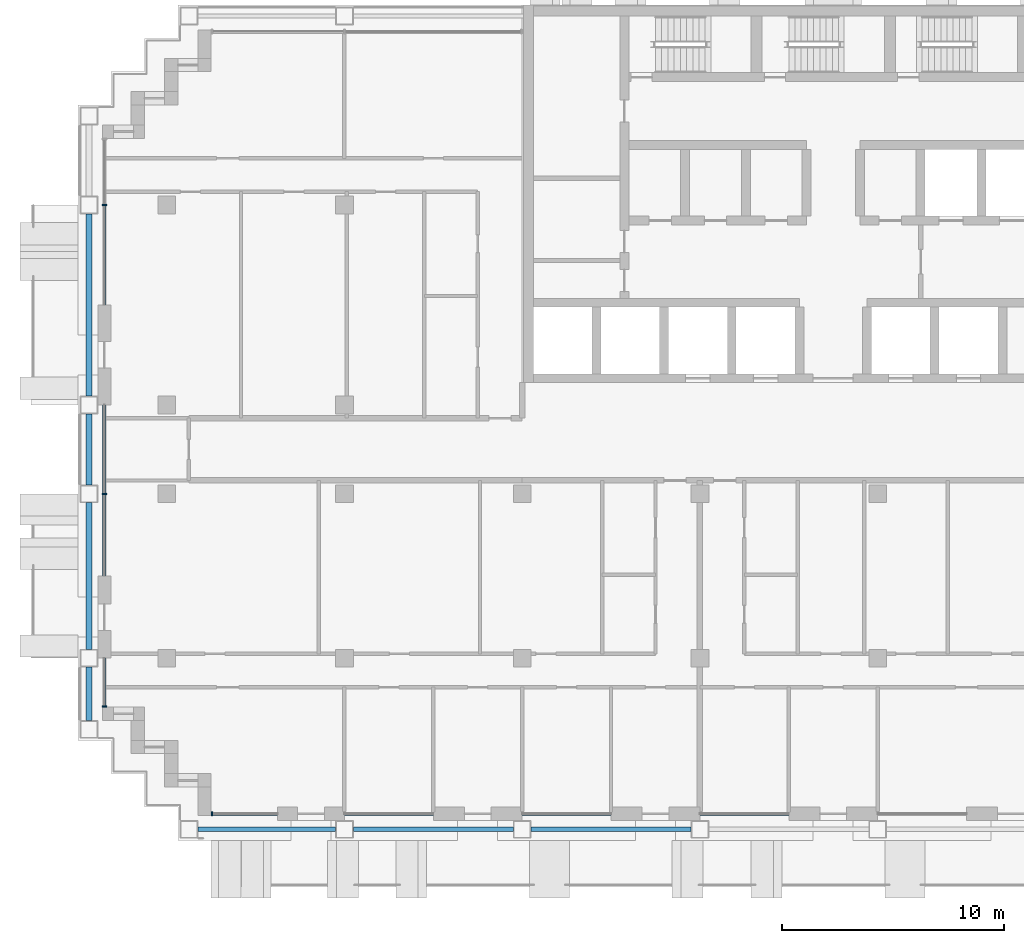
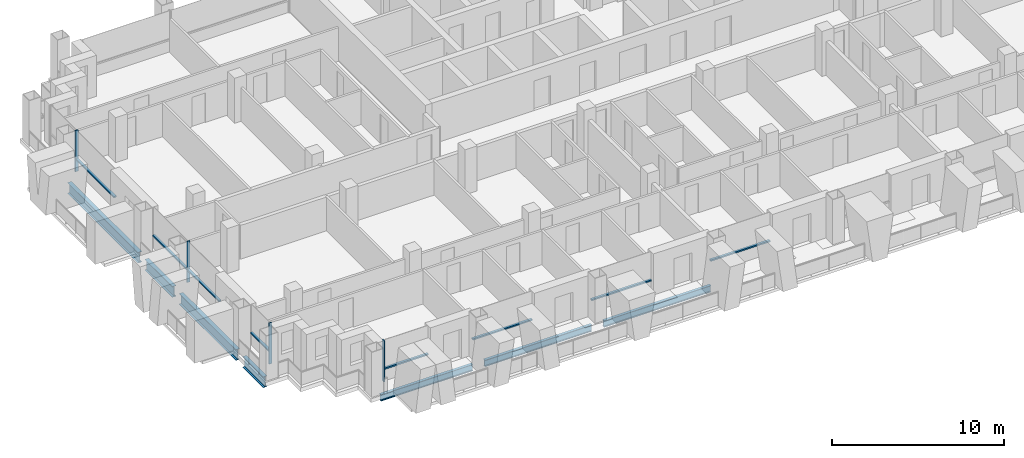
# One storey, part 2 of 16: 12 members, 7 beams, 7 elements without a shape of their own.
"""IFC4 building model written with IfcOpenShell, lengths in metres."""

from ifc_helpers import new_model, si_unit, direction, frame, origin, origin_2d, place, context, subcontext, project, spatial, rectangle, i_section, extrude, material, material_profile, profile_set, type_object, element, aggregate, save


model = new_model("IFC4")

# Units and contexts
model_context = context("Model", 3, precision=1e-05, world=origin(), true_north=direction((0.0, 1.0)))
body_context = subcontext(model_context, "Body", "Model", "MODEL_VIEW")
ifc_project = project(units=[si_unit("LENGTHUNIT", "METRE"), si_unit("AREAUNIT", "SQUARE_METRE"), si_unit("VOLUMEUNIT", "CUBIC_METRE"), si_unit("PLANEANGLEUNIT", "RADIAN"), si_unit("MASSUNIT", "GRAM", prefix="KILO")], contexts=[model_context])

# Site, building, storey
site_placement = place(None, origin())
site = spatial("IfcSite", under=ifc_project, at=site_placement, CompositionType="ELEMENT")
building_placement = place(site_placement, origin())
building = spatial("IfcBuilding", under=site, at=building_placement, Name="Vidyagriha Tower", CompositionType="ELEMENT")
storey_placement = place(building_placement, frame((0.0, 0.0, 135.800048828125)))
storey = spatial("IfcBuildingStorey", under=building, at=storey_placement, Name="L35", CompositionType="ELEMENT", Elevation=135.800048828125)

# Beams
ifc_material_1 = material(Name="Steel ASTM A992 Grade 50", Category="steel")
ifc_material_profile_1 = material_profile(ifc_material_1, i_section(OverallWidth=0.2666015625, OverallDepth=0.76953125, WebThickness=0.015625, FlangeThickness=0.025390625, at=origin_2d()), Name="W30X132")
ifc_profile_set_1 = profile_set([ifc_material_profile_1], Name="Steel ASTM A992 Grade 50")
beam_type_1 = type_object("IfcBeamType", Name="Cantilever edge beam W30X132", PredefinedType="SPANDREL", material=ifc_profile_set_1)
beam_1_placement = place(storey_placement, frame((-33.5, -12.199951171875, -0.664794921875), z_axis=(0.0, 1.0, 0.0), x_axis=(-1.0, 0.0, 0.0)))
element("IfcBeam", 1, at=beam_1_placement, inside=storey, type_object=beam_type_1, Name="st-beam-L35-W09", PredefinedType="SPANDREL", context=body_context, shape_type="SweptSolid", body=[
    extrude(i_section(OverallWidth=0.2666015625, OverallDepth=0.76953125, WebThickness=0.015625, FlangeThickness=0.025390625, at=origin_2d()), origin(), (0.0, 0.0, 1.0), 2.39990234375),
])
beam_2_placement = place(storey_placement, frame((-33.5, -9.0, -0.664794921875), z_axis=(0.0, 1.0, 0.0), x_axis=(-1.0, 0.0, 0.0)))
element("IfcBeam", 2, at=beam_2_placement, inside=storey, type_object=beam_type_1, Name="st-beam-L35-W10", PredefinedType="SPANDREL", context=body_context, shape_type="SweptSolid", body=[
    extrude(i_section(OverallWidth=0.2666015625, OverallDepth=0.76953125, WebThickness=0.015625, FlangeThickness=0.025390625, at=origin_2d()), origin(), (0.0, 0.0, 1.0), 6.60009765625),
])
beam_3_placement = place(storey_placement, frame((-33.5, -1.60009765625, -0.664794921875), z_axis=(0.0, 1.0, 0.0), x_axis=(-1.0, 0.0, 0.0)))
element("IfcBeam", 3, at=beam_3_placement, inside=storey, type_object=beam_type_1, Name="st-beam-L35-W11", PredefinedType="SPANDREL", context=body_context, shape_type="SweptSolid", body=[
    extrude(i_section(OverallWidth=0.2666015625, OverallDepth=0.76953125, WebThickness=0.015625, FlangeThickness=0.025390625, at=origin_2d()), origin(), (0.0, 0.0, 1.0), 3.2001953125),
])
beam_4_placement = place(storey_placement, frame((-33.5, 2.39990234375, -0.664794921875), z_axis=(0.0, 1.0, 0.0), x_axis=(-1.0, 0.0, 0.0)))
element("IfcBeam", 4, at=beam_4_placement, inside=storey, type_object=beam_type_1, Name="st-beam-L35-W12", PredefinedType="SPANDREL", context=body_context, shape_type="SweptSolid", body=[
    extrude(i_section(OverallWidth=0.2666015625, OverallDepth=0.76953125, WebThickness=0.015625, FlangeThickness=0.025390625, at=origin_2d()), origin(), (0.0, 0.0, 1.0), 8.2001953125),
])
ifc_material_2 = material(Name="Steel ASTM A992 Grade 50", Category="steel")
ifc_material_profile_2 = material_profile(ifc_material_2, i_section(OverallWidth=0.19189453125, OverallDepth=0.46240234375, WebThickness=0.010498046875, FlangeThickness=0.017578125, at=origin_2d()), Name="W18X60")
ifc_profile_set_2 = profile_set([ifc_material_profile_2], Name="Steel ASTM A992 Grade 50")
beam_type_2 = type_object("IfcBeamType", Name="Edge beam W18X60", PredefinedType="SPANDREL", material=ifc_profile_set_2)
beam_5_placement = place(storey_placement, frame((-28.60009765625, -17.10009765625, -0.51123046875), z_axis=(1.0, 0.0, 0.0), x_axis=(0.0, 1.0, 0.0)))
element("IfcBeam", 5, at=beam_5_placement, inside=storey, type_object=beam_type_2, Name="st-beam-L35-S01", PredefinedType="SPANDREL", context=body_context, shape_type="SweptSolid", body=[
    extrude(i_section(OverallWidth=0.19189453125, OverallDepth=0.46240234375, WebThickness=0.010498046875, FlangeThickness=0.017578125, at=origin_2d()), origin(), (0.0, 0.0, 1.0), 6.2001953125),
])
for number, where, z_axis, x_axis, name in (
    (6, (-21.60009765625, -17.10009765625, -0.51123046875), (1.0, 0.0, 0.0), (0.0, 1.0, 0.0), "st-beam-L35-S02"),
    (7, (-13.60009765625, -17.10009765625, -0.51123046875), (1.0, 0.0, 0.0), (0.0, 1.0, 0.0), "st-beam-L35-S03"),
):
    element("IfcBeam", number, at=place(storey_placement, frame(where, z_axis=z_axis, x_axis=x_axis)), inside=storey, type_object=beam_type_2, Name=name, PredefinedType="SPANDREL", context=body_context, shape_type="SweptSolid", body=[
        extrude(i_section(OverallWidth=0.19189453125, OverallDepth=0.46240234375, WebThickness=0.010498046875, FlangeThickness=0.017578125, at=origin_2d()), origin(), (0.0, 0.0, 1.0), 7.2001953125),
    ])

# Curtain wall, member
ifc_material_3 = material(Name="Aluminium and glass curtain wall", Category="aluminium")
curtain_wall_type = type_object("IfcCurtainWallType", Name="Dwelling skin unitised curtain wall", PredefinedType="USERDEFINED", material=ifc_material_3)
curtain_wall_1_placement = place(storey_placement, origin())
curtain_wall_1 = element("IfcCurtainWall", 8, at=curtain_wall_1_placement, inside=storey, type_object=curtain_wall_type, Name="CW1 dwelling skin", ObjectType="UNITISED", PredefinedType="USERDEFINED")
ifc_material_4 = material(Name="Aluminium black anodised", Category="aluminium")
ifc_material_profile_3 = material_profile(ifc_material_4, rectangle(XDim=0.199951171875, YDim=0.070068359375, at=origin_2d()), Name="Mullion 70x200 black aluminium")
ifc_profile_set_3 = profile_set([ifc_material_profile_3], Name="Aluminium black anodised")
member_type_1 = type_object("IfcMemberType", Name="Mullion 70x200 black aluminium", PredefinedType="MULLION", material=ifc_profile_set_3)
member_1_placement = place(storey_placement, frame((-32.800048828125, 11.0, 0.0)))
member_1 = element("IfcMember", 9, at=member_1_placement, type_object=member_type_1, Name="CW1 mullion 2", PredefinedType="MULLION", context=body_context, shape_type="SweptSolid", body=[
    extrude(rectangle(XDim=0.199951171875, YDim=0.070068359375, at=origin_2d()), origin(), (0.0, 0.0, 1.0), 2.919921875),
])

curtain_wall_2_placement = place(storey_placement, origin())
curtain_wall_2 = element("IfcCurtainWall", 10, at=curtain_wall_2_placement, inside=storey, type_object=curtain_wall_type, Name="CW1 dwelling skin", ObjectType="UNITISED", PredefinedType="USERDEFINED")
member_2_placement = place(storey_placement, frame((-32.800048828125, -2.0, 0.0)))
member_2 = element("IfcMember", 11, at=member_2_placement, type_object=member_type_1, Name="CW1 mullion 2", PredefinedType="MULLION", context=body_context, shape_type="SweptSolid", body=[
    extrude(rectangle(XDim=0.199951171875, YDim=0.070068359375, at=origin_2d()), origin(), (0.0, 0.0, 1.0), 2.919921875),
])

curtain_wall_3_placement = place(storey_placement, origin())
curtain_wall_3 = element("IfcCurtainWall", 12, at=curtain_wall_3_placement, inside=storey, type_object=curtain_wall_type, Name="CW1 dwelling skin", ObjectType="UNITISED", PredefinedType="USERDEFINED")
member_3_placement = place(storey_placement, frame((-32.800048828125, -11.56494140625, 0.0)))
member_3 = element("IfcMember", 13, at=member_3_placement, type_object=member_type_1, Name="CW1 mullion 2", PredefinedType="MULLION", context=body_context, shape_type="SweptSolid", body=[
    extrude(rectangle(XDim=0.199951171875, YDim=0.070068359375, at=origin_2d()), origin(), (0.0, 0.0, 1.0), 2.919921875),
])

curtain_wall_4_placement = place(storey_placement, origin())
curtain_wall_4 = element("IfcCurtainWall", 14, at=curtain_wall_4_placement, inside=storey, type_object=curtain_wall_type, Name="CW1 dwelling skin", ObjectType="UNITISED", PredefinedType="USERDEFINED")
member_4_placement = place(storey_placement, frame((-27.965087890625, -16.39990234375, 0.0), z_axis=(0.0, 0.0, 1.0), x_axis=(0.0, 1.0, 0.0)))
member_4 = element("IfcMember", 15, at=member_4_placement, type_object=member_type_1, Name="CW1 mullion 1", PredefinedType="MULLION", context=body_context, shape_type="SweptSolid", body=[
    extrude(rectangle(XDim=0.199951171875, YDim=0.070068359375, at=origin_2d()), origin(), (0.0, 0.0, 1.0), 2.919921875),
])

# Member
ifc_material_5 = material(Name="Aluminium black anodised", Category="aluminium")
ifc_material_profile_4 = material_profile(ifc_material_5, rectangle(XDim=0.159912109375, YDim=0.10009765625, at=origin_2d()), Name="Transom 100x160 black aluminium")
ifc_profile_set_4 = profile_set([ifc_material_profile_4], Name="Aluminium black anodised")
member_type_2 = type_object("IfcMemberType", Name="Transom 100x160 black aluminium", PredefinedType="USERDEFINED", material=ifc_profile_set_4)
member_5_placement = place(storey_placement, frame((-32.800048828125, 10.965087890625, 0.89990234375), z_axis=(0.0, -1.0, 0.0), x_axis=(1.0, 0.0, 0.0)))
member_5 = element("IfcMember", 16, at=member_5_placement, type_object=member_type_2, Name="CW1 transom 2.1", ObjectType="TRANSOM", PredefinedType="USERDEFINED", context=body_context, shape_type="SweptSolid", body=[
    extrude(rectangle(XDim=0.159912109375, YDim=0.10009765625, at=origin_2d()), origin(), (0.0, 0.0, 1.0), 4.465087890625),
])

aggregate(curtain_wall_1, [member_1, member_5])

member_6_placement = place(storey_placement, frame((-32.800048828125, 2.0, 0.89990234375), z_axis=(0.0, -1.0, 0.0), x_axis=(1.0, 0.0, 0.0)))
member_6 = element("IfcMember", 17, at=member_6_placement, type_object=member_type_2, Name="CW1 transom 1.1", ObjectType="TRANSOM", PredefinedType="USERDEFINED", context=body_context, shape_type="SweptSolid", body=[
    extrude(rectangle(XDim=0.159912109375, YDim=0.10009765625, at=origin_2d()), origin(), (0.0, 0.0, 1.0), 3.965087890625),
])

member_7_placement = place(storey_placement, frame((-32.800048828125, -2.034912109375, 0.89990234375), z_axis=(0.0, -1.0, 0.0), x_axis=(1.0, 0.0, 0.0)))
member_7 = element("IfcMember", 18, at=member_7_placement, type_object=member_type_2, Name="CW1 transom 2.1", ObjectType="TRANSOM", PredefinedType="USERDEFINED", context=body_context, shape_type="SweptSolid", body=[
    extrude(rectangle(XDim=0.159912109375, YDim=0.10009765625, at=origin_2d()), origin(), (0.0, 0.0, 1.0), 3.6650390625),
])

aggregate(curtain_wall_2, [member_2, member_6, member_7])

member_8_placement = place(storey_placement, frame((-32.800048828125, -9.39990234375, 0.89990234375), z_axis=(0.0, -1.0, 0.0), x_axis=(1.0, 0.0, 0.0)))
member_8 = element("IfcMember", 19, at=member_8_placement, type_object=member_type_2, Name="CW1 transom 1.1", ObjectType="TRANSOM", PredefinedType="USERDEFINED", context=body_context, shape_type="SweptSolid", body=[
    extrude(rectangle(XDim=0.159912109375, YDim=0.10009765625, at=origin_2d()), origin(), (0.0, 0.0, 1.0), 2.130126953125),
])

aggregate(curtain_wall_3, [member_3, member_8])

member_9_placement = place(storey_placement, frame((-27.929931640625, -16.39990234375, 0.89990234375), z_axis=(1.0, 0.0, 0.0), x_axis=(0.0, 1.0, 0.0)))
member_9 = element("IfcMember", 20, at=member_9_placement, type_object=member_type_2, Name="CW1 transom 1.1", ObjectType="TRANSOM", PredefinedType="USERDEFINED", context=body_context, shape_type="SweptSolid", body=[
    extrude(rectangle(XDim=0.159912109375, YDim=0.10009765625, at=origin_2d()), origin(), (0.0, 0.0, 1.0), 2.929931640625),
])

aggregate(curtain_wall_4, [member_4, member_9])

# Curtain wall, member
curtain_wall_5_placement = place(storey_placement, origin())
curtain_wall_5 = element("IfcCurtainWall", 21, at=curtain_wall_5_placement, inside=storey, type_object=curtain_wall_type, Name="CW1 dwelling skin", ObjectType="UNITISED", PredefinedType="USERDEFINED")
member_10_placement = place(storey_placement, frame((-22.0, -16.39990234375, 0.89990234375), z_axis=(1.0, 0.0, 0.0), x_axis=(0.0, 1.0, 0.0)))
member_10 = element("IfcMember", 22, at=member_10_placement, type_object=member_type_2, Name="CW1 transom 1.1", ObjectType="TRANSOM", PredefinedType="USERDEFINED", context=body_context, shape_type="SweptSolid", body=[
    extrude(rectangle(XDim=0.159912109375, YDim=0.10009765625, at=origin_2d()), origin(), (0.0, 0.0, 1.0), 4.0),
])
aggregate(curtain_wall_5, [member_10])

curtain_wall_6_placement = place(storey_placement, origin())
curtain_wall_6 = element("IfcCurtainWall", 23, at=curtain_wall_6_placement, inside=storey, type_object=curtain_wall_type, Name="CW1 dwelling skin", ObjectType="UNITISED", PredefinedType="USERDEFINED")
member_11_placement = place(storey_placement, frame((-14.0, -16.39990234375, 0.89990234375), z_axis=(1.0, 0.0, 0.0), x_axis=(0.0, 1.0, 0.0)))
member_11 = element("IfcMember", 24, at=member_11_placement, type_object=member_type_2, Name="CW1 transom 1.1", ObjectType="TRANSOM", PredefinedType="USERDEFINED", context=body_context, shape_type="SweptSolid", body=[
    extrude(rectangle(XDim=0.159912109375, YDim=0.10009765625, at=origin_2d()), origin(), (0.0, 0.0, 1.0), 4.0),
])
aggregate(curtain_wall_6, [member_11])

curtain_wall_7_placement = place(storey_placement, origin())
curtain_wall_7 = element("IfcCurtainWall", 25, at=curtain_wall_7_placement, inside=storey, type_object=curtain_wall_type, Name="CW1 dwelling skin", ObjectType="UNITISED", PredefinedType="USERDEFINED")
member_12_placement = place(storey_placement, frame((-6.0, -16.39990234375, 0.89990234375), z_axis=(1.0, 0.0, 0.0), x_axis=(0.0, 1.0, 0.0)))
member_12 = element("IfcMember", 26, at=member_12_placement, type_object=member_type_2, Name="CW1 transom 1.1", ObjectType="TRANSOM", PredefinedType="USERDEFINED", context=body_context, shape_type="SweptSolid", body=[
    extrude(rectangle(XDim=0.159912109375, YDim=0.10009765625, at=origin_2d()), origin(), (0.0, 0.0, 1.0), 4.0),
])
aggregate(curtain_wall_7, [member_12])

save(model, "model.ifc")
